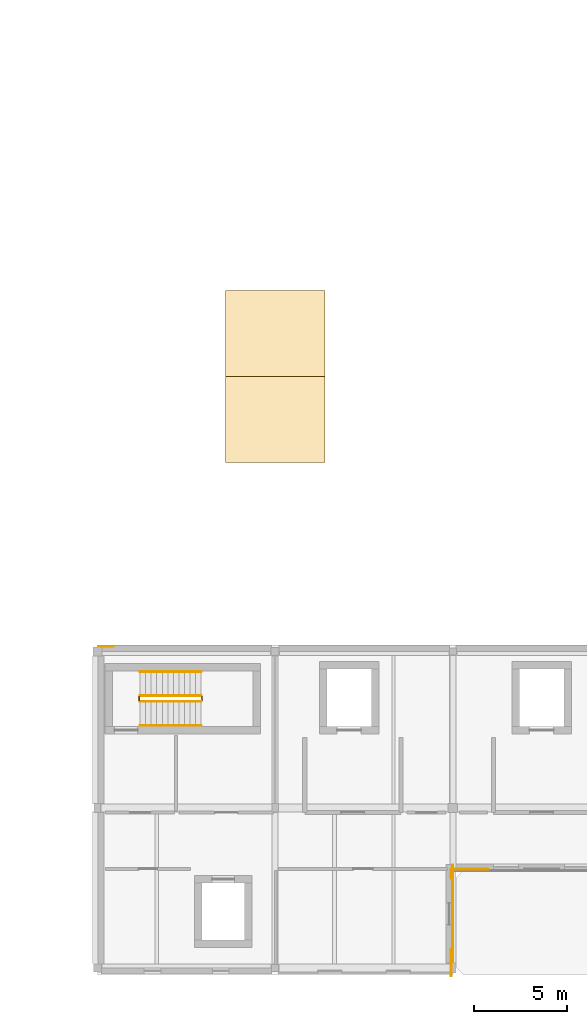
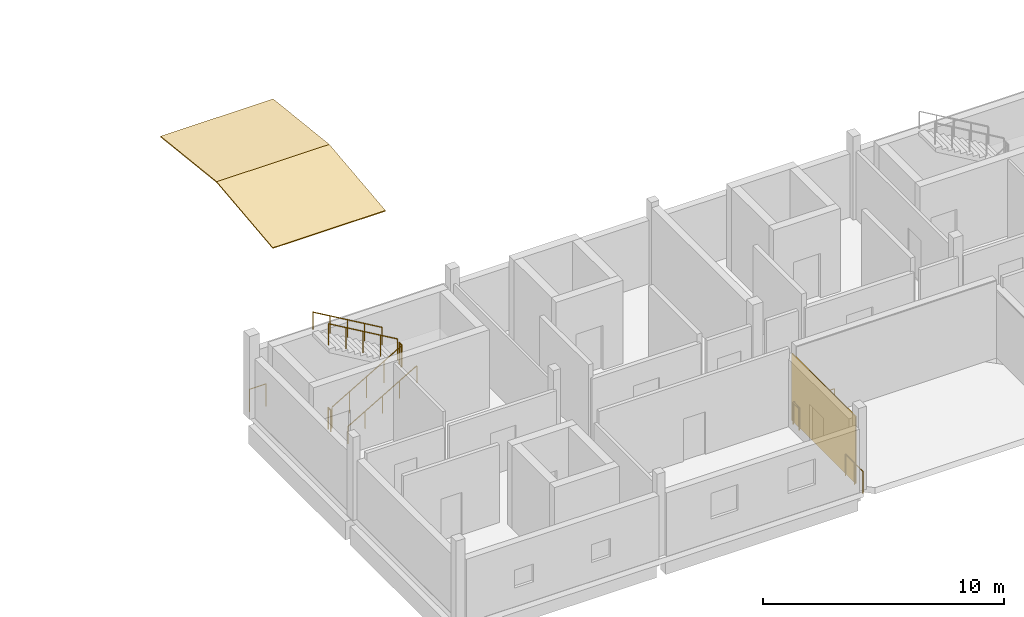
# One storey, part 20 of 23: 10 railings, 3 coverings.
"""IFC4 building model written with IfcOpenShell, lengths in metres."""

from ifc_helpers import new_model, si_unit, direction, frame, origin, origin_2d, place, context, subcontext, project, spatial, polyline, rectangle, circle, outline, extrude, material, layer, layer_set, type_object, element, save


model = new_model("IFC4")

# Units and contexts
model_context = context("Model", 3, precision=1e-05, world=origin(), true_north=direction((0.0, 1.0)))
body_context = subcontext(model_context, "Body", "Model", "MODEL_VIEW")
ifc_project = project(units=[si_unit("LENGTHUNIT", "METRE"), si_unit("AREAUNIT", "SQUARE_METRE"), si_unit("VOLUMEUNIT", "CUBIC_METRE"), si_unit("PLANEANGLEUNIT", "RADIAN"), si_unit("MASSUNIT", "GRAM", prefix="KILO")], contexts=[model_context])

# Site, building, storey
site_placement = place(None, origin())
site = spatial("IfcSite", under=ifc_project, at=site_placement, CompositionType="ELEMENT")
building_placement = place(site_placement, origin())
building = spatial("IfcBuilding", under=site, at=building_placement, Name="Birchvale Park Specialist Clinic", CompositionType="ELEMENT")
storey_placement = place(building_placement, frame((0.0, 0.0, 18.0)))
storey = spatial("IfcBuildingStorey", under=building, at=storey_placement, Name="L04", CompositionType="ELEMENT", Elevation=18.0)

# Coverings
ifc_material_1 = material(Name="Nordic larch vertical rainscreen cladding")
ifc_layer_1 = layer(ifc_material_1, 0.044921875)
ifc_layer_set_1 = layer_set([ifc_layer_1], Name="Nordic larch vertical rainscreen cladding")
covering_type_1 = type_object("IfcCoveringType", Name="COV-CL1", PredefinedType="CLADDING", material=ifc_layer_set_1)
covering_1_placement = place(storey_placement, frame((80.6025390625, 20.072509765625, 0.02001953125), z_axis=(0.0, 0.0, 1.0), x_axis=(0.0, 1.0, 0.0)))
element("IfcCovering", 1, at=covering_1_placement, inside=storey, type_object=covering_type_1, Name="V4 L04 Nordic larch cladding 19", PredefinedType="CLADDING", context=body_context, shape_type="SweptSolid", body=[
    extrude(rectangle(XDim=5.294921875, YDim=0.044921875, at=origin_2d()), origin(), (0.0, 0.0, 1.0), 3.385009765625),
])
ifc_material_2 = material(Name="Standing-seam titanium-zinc roofing")
ifc_layer_2 = layer(ifc_material_2, 0.054931640625)
ifc_layer_set_2 = layer_set([ifc_layer_2], Name="Standing-seam titanium-zinc roofing")
covering_type_2 = type_object("IfcCoveringType", Name="COV-RF2", PredefinedType="ROOFING", material=ifc_layer_set_2)
covering_2_placement = place(storey_placement, frame((68.30712890625, 44.449951171875, -0.133056640625), z_axis=(0.0, -0.110775134543, 0.993845495823), x_axis=(1.0, 0.0, 0.0)))
element("IfcCovering", 2, at=covering_2_placement, inside=storey, type_object=covering_type_2, Name="V1 gridshell standing-seam covering 21", PredefinedType="ROOFING", context=body_context, shape_type="SweptSolid", body=[
    extrude(outline(polyline([(0.0, 0.0), (5.3857421875, 0.0), (5.3857421875, 4.6789430589767855), (0.0, 4.6789430589767855), (0.0, 0.0)])), origin(), (0.0, 0.0, -1.0), 0.054931640625),
])
covering_3_placement = place(storey_placement, frame((68.30712890625, 49.10009765625, 0.38525390625), z_axis=(0.0, 0.110780879355, 0.993844855483), x_axis=(1.0, 0.0, 0.0)))
element("IfcCovering", 3, at=covering_3_placement, inside=storey, type_object=covering_type_2, Name="V1 gridshell standing-seam covering 22", PredefinedType="ROOFING", context=body_context, shape_type="SweptSolid", body=[
    extrude(outline(polyline([(0.0, 0.0), (5.3857421875, 0.0), (5.3857421875, 4.6787004209944465), (0.0, 4.6787004209944465), (0.0, 0.0)])), origin(), (0.0, 0.0, -1.0), 0.054931640625),
])

# Railings
ifc_material_3 = material(Name="Brushed stainless steel and laminated glass balustrade", Category="steel")
railing_type_1 = type_object("IfcRailingType", Name="RL-BAL1", PredefinedType="BALUSTRADE", material=ifc_material_3)
railing_1_placement = place(storey_placement, frame((82.485107421875, 22.47998046875, 0.0)))
element("IfcRailing", 4, at=railing_1_placement, inside=storey, type_object=railing_type_1, Name="V4 L04 atrium void balustrade 43", PredefinedType="BALUSTRADE", context=body_context, shape_type="SweptSolid", body=[
    extrude(circle(Radius=0.02392578125, at=origin_2d()), frame((0.0, 0.0, 1.09619140625), z_axis=(-1.0, 0.0, 0.0), x_axis=(0.0, -1.0, 0.0)), (0.0, 0.0, 1.0), 1.965087890625),
    extrude(circle(Radius=0.02099609375, at=origin_2d()), origin(), (0.0, 0.0, 1.0), 1.072021484375),
    extrude(circle(Radius=0.02099609375, at=origin_2d()), frame((-0.982421875, 0.0, 0.0)), (0.0, 0.0, 1.0), 1.072021484375),
    extrude(circle(Radius=0.02099609375, at=origin_2d()), frame((-1.965087890625, 0.0, 0.0)), (0.0, 0.0, 1.0), 1.072021484375),
])
railing_2_placement = place(storey_placement, frame((80.52001953125, 22.47998046875, 0.0)))
element("IfcRailing", 5, at=railing_2_placement, inside=storey, type_object=railing_type_1, Name="V4 L04 atrium void balustrade 44", PredefinedType="BALUSTRADE", context=body_context, shape_type="SweptSolid", body=[
    extrude(circle(Radius=0.02392578125, at=origin_2d()), frame((0.0, 0.0, 1.09619140625), z_axis=(0.0, -1.0, 0.0), x_axis=(1.0, 0.0, 0.0)), (0.0, 0.0, 1.0), 0.482421875),
    extrude(circle(Radius=0.02099609375, at=origin_2d()), origin(), (0.0, 0.0, 1.0), 1.072021484375),
    extrude(circle(Radius=0.02099609375, at=origin_2d()), frame((0.0, -0.482421875, 0.0)), (0.0, 0.0, 1.0), 1.072021484375),
])
railing_3_placement = place(storey_placement, frame((80.52001953125, 18.1474609375, 0.0)))
element("IfcRailing", 6, at=railing_3_placement, inside=storey, type_object=railing_type_1, Name="V4 L04 atrium void balustrade 45", PredefinedType="BALUSTRADE", context=body_context, shape_type="SweptSolid", body=[
    extrude(circle(Radius=0.02392578125, at=origin_2d()), frame((0.0, 0.0, 1.09619140625), z_axis=(0.0, -1.0, 0.0), x_axis=(1.0, 0.0, 0.0)), (0.0, 0.0, 1.0), 1.427490234375),
    extrude(circle(Radius=0.02099609375, at=origin_2d()), origin(), (0.0, 0.0, 1.0), 1.072021484375),
    extrude(circle(Radius=0.02099609375, at=origin_2d()), frame((0.0, -0.7138671875, 0.0)), (0.0, 0.0, 1.0), 1.072021484375),
    extrude(circle(Radius=0.02099609375, at=origin_2d()), frame((0.0, -1.427490234375, 0.0)), (0.0, 0.0, 1.0), 1.072021484375),
])
railing_type_2 = type_object("IfcRailingType", Name="RL-BAL2", PredefinedType="BALUSTRADE", material=ifc_material_3)
railing_4_placement = place(storey_placement, frame((61.449951171875, 34.52001953125, 0.0)))
element("IfcRailing", 7, at=railing_4_placement, inside=storey, type_object=railing_type_2, Name="V4 L04 corner edge guard NW", PredefinedType="BALUSTRADE", context=body_context, shape_type="SweptSolid", body=[
    extrude(circle(Radius=0.02392578125, at=origin_2d()), frame((0.0, 0.0, 1.1259765625), z_axis=(1.0, 0.0, 0.0), x_axis=(0.0, 1.0, 0.0)), (0.0, 0.0, 1.0), 0.800048828125),
    extrude(circle(Radius=0.02099609375, at=origin_2d()), origin(), (0.0, 0.0, 1.0), 1.101806640625),
    extrude(circle(Radius=0.02099609375, at=origin_2d()), frame((0.800048828125, 0.0, 0.0)), (0.0, 0.0, 1.0), 1.101806640625),
])
ifc_material_4 = material(Name="Brushed stainless steel guard railing", Category="steel")
railing_type_3 = type_object("IfcRailingType", Name="RL-GRD1", PredefinedType="GUARDRAIL", material=ifc_material_4)
railing_5_placement = place(storey_placement, frame((63.699951171875, 31.550048828125, 0.175048828125)))
element("IfcRailing", 8, at=railing_5_placement, inside=storey, type_object=railing_type_3, Name="L04 ST4 stair guard 1", PredefinedType="GUARDRAIL", context=body_context, shape_type="SweptSolid", body=[
    extrude(circle(Radius=0.02392578125, at=origin_2d()), frame((0.0, 0.0, 1.076171875), z_axis=(0.863776583165, 0.0, 0.503874998761), x_axis=(0.0, 1.0, 0.0)), (0.0, 0.0, 1.0), 3.820556640625),
    extrude(circle(Radius=0.02099609375, at=origin_2d()), origin(), (0.0, 0.0, 1.0), 1.052001953125),
    extrude(circle(Radius=0.02099609375, at=origin_2d()), frame((0.824951171875, 0.0, 0.481201171875)), (0.0, 0.0, 1.0), 1.052001953125),
    extrude(circle(Radius=0.02099609375, at=origin_2d()), frame((1.64990234375, 0.0, 0.96240234375)), (0.0, 0.0, 1.0), 1.052001953125),
    extrude(circle(Radius=0.02099609375, at=origin_2d()), frame((2.47509765625, 0.0, 1.44384765625)), (0.0, 0.0, 1.0), 1.052001953125),
    extrude(circle(Radius=0.02099609375, at=origin_2d()), frame((3.300048828125, 0.0, 1.925048828125)), (0.0, 0.0, 1.0), 1.052001953125),
])
railing_6_placement = place(storey_placement, frame((67.050048828125, 31.60009765625, 2.10009765625)))
element("IfcRailing", 9, at=railing_6_placement, inside=storey, type_object=railing_type_3, Name="L04 ST4 stair guard 2", PredefinedType="GUARDRAIL", context=body_context, shape_type="SweptSolid", body=[
    extrude(circle(Radius=0.02392578125, at=origin_2d()), frame((0.0, 0.0, 1.076171875), z_axis=(0.0, 1.0, 0.0), x_axis=(-1.0, 0.0, 0.0)), (0.0, 0.0, 1.0), 0.199951171875),
    extrude(circle(Radius=0.02099609375, at=origin_2d()), origin(), (0.0, 0.0, 1.0), 1.052001953125),
    extrude(circle(Radius=0.02099609375, at=origin_2d()), frame((0.0, 0.199951171875, 0.0)), (0.0, 0.0, 1.0), 1.052001953125),
])
railing_7_placement = place(storey_placement, frame((67.0, 31.85009765625, 2.27490234375)))
element("IfcRailing", 10, at=railing_7_placement, inside=storey, type_object=railing_type_3, Name="L04 ST4 stair guard 3", PredefinedType="GUARDRAIL", context=body_context, shape_type="SweptSolid", body=[
    extrude(circle(Radius=0.02392578125, at=origin_2d()), frame((0.0, 0.0, 1.076171875), z_axis=(-0.863776583165, 0.0, 0.503874998761), x_axis=(0.0, -1.0, 0.0)), (0.0, 0.0, 1.0), 3.820556640625),
    extrude(circle(Radius=0.02099609375, at=origin_2d()), origin(), (0.0, 0.0, 1.0), 1.052001953125),
    extrude(circle(Radius=0.02099609375, at=origin_2d()), frame((-0.824951171875, 0.0, 0.481201171875)), (0.0, 0.0, 1.0), 1.052001953125),
    extrude(circle(Radius=0.02099609375, at=origin_2d()), frame((-1.64990234375, 0.0, 0.96240234375)), (0.0, 0.0, 1.0), 1.052001953125),
    extrude(circle(Radius=0.02099609375, at=origin_2d()), frame((-2.47509765625, 0.0, 1.44384765625)), (0.0, 0.0, 1.0), 1.052001953125),
    extrude(circle(Radius=0.02099609375, at=origin_2d()), frame((-3.300048828125, 0.0, 1.925048828125)), (0.0, 0.0, 1.0), 1.052001953125),
])
railing_8_placement = place(storey_placement, frame((63.64990234375, 31.60009765625, 0.0)))
element("IfcRailing", 11, at=railing_8_placement, inside=storey, type_object=railing_type_3, Name="L04 ST4 stair guard 4", PredefinedType="GUARDRAIL", context=body_context, shape_type="SweptSolid", body=[
    extrude(circle(Radius=0.02392578125, at=origin_2d()), frame((0.0, 0.0, 1.076171875), z_axis=(0.0, 1.0, 0.0), x_axis=(-1.0, 0.0, 0.0)), (0.0, 0.0, 1.0), 0.199951171875),
    extrude(circle(Radius=0.02099609375, at=origin_2d()), origin(), (0.0, 0.0, 1.0), 1.052001953125),
    extrude(circle(Radius=0.02099609375, at=origin_2d()), frame((0.0, 0.199951171875, 0.0)), (0.0, 0.0, 1.0), 1.052001953125),
])
ifc_material_5 = material(Name="Anodised aluminium handrail", Category="aluminium")
railing_type_4 = type_object("IfcRailingType", Name="RL-HND1", PredefinedType="HANDRAIL", material=ifc_material_5)
railing_9_placement = place(storey_placement, frame((63.699951171875, 30.25, 0.175048828125)))
element("IfcRailing", 12, at=railing_9_placement, inside=storey, type_object=railing_type_4, Name="L04 ST4 stair handrail 1", PredefinedType="HANDRAIL", context=body_context, shape_type="SweptSolid", body=[
    extrude(circle(Radius=0.02392578125, at=origin_2d()), frame((0.0, 0.0, 0.8759765625), z_axis=(0.863776583165, 0.0, 0.503874998761), x_axis=(0.0, 1.0, 0.0)), (0.0, 0.0, 1.0), 3.820556640625),
    extrude(circle(Radius=0.02099609375, at=origin_2d()), origin(), (0.0, 0.0, 1.0), 0.851806640625),
    extrude(circle(Radius=0.02099609375, at=origin_2d()), frame((0.824951171875, 0.0, 0.481201171875)), (0.0, 0.0, 1.0), 0.851806640625),
    extrude(circle(Radius=0.02099609375, at=origin_2d()), frame((1.64990234375, 0.0, 0.96240234375)), (0.0, 0.0, 1.0), 0.851806640625),
    extrude(circle(Radius=0.02099609375, at=origin_2d()), frame((2.47509765625, 0.0, 1.44384765625)), (0.0, 0.0, 1.0), 0.851806640625),
    extrude(circle(Radius=0.02099609375, at=origin_2d()), frame((3.300048828125, 0.0, 1.925048828125)), (0.0, 0.0, 1.0), 0.851806640625),
])
railing_10_placement = place(storey_placement, frame((67.0, 33.14990234375, 2.27490234375)))
element("IfcRailing", 13, at=railing_10_placement, inside=storey, type_object=railing_type_4, Name="L04 ST4 stair handrail 2", PredefinedType="HANDRAIL", context=body_context, shape_type="SweptSolid", body=[
    extrude(circle(Radius=0.02392578125, at=origin_2d()), frame((0.0, 0.0, 0.8759765625), z_axis=(-0.863776583165, 0.0, 0.503874998761), x_axis=(0.0, -1.0, 0.0)), (0.0, 0.0, 1.0), 3.820556640625),
    extrude(circle(Radius=0.02099609375, at=origin_2d()), origin(), (0.0, 0.0, 1.0), 0.851806640625),
    extrude(circle(Radius=0.02099609375, at=origin_2d()), frame((-0.824951171875, 0.0, 0.481201171875)), (0.0, 0.0, 1.0), 0.851806640625),
    extrude(circle(Radius=0.02099609375, at=origin_2d()), frame((-1.64990234375, 0.0, 0.96240234375)), (0.0, 0.0, 1.0), 0.851806640625),
    extrude(circle(Radius=0.02099609375, at=origin_2d()), frame((-2.47509765625, 0.0, 1.44384765625)), (0.0, 0.0, 1.0), 0.851806640625),
    extrude(circle(Radius=0.02099609375, at=origin_2d()), frame((-3.300048828125, 0.0, 1.925048828125)), (0.0, 0.0, 1.0), 0.851806640625),
])

save(model, "model.ifc")
